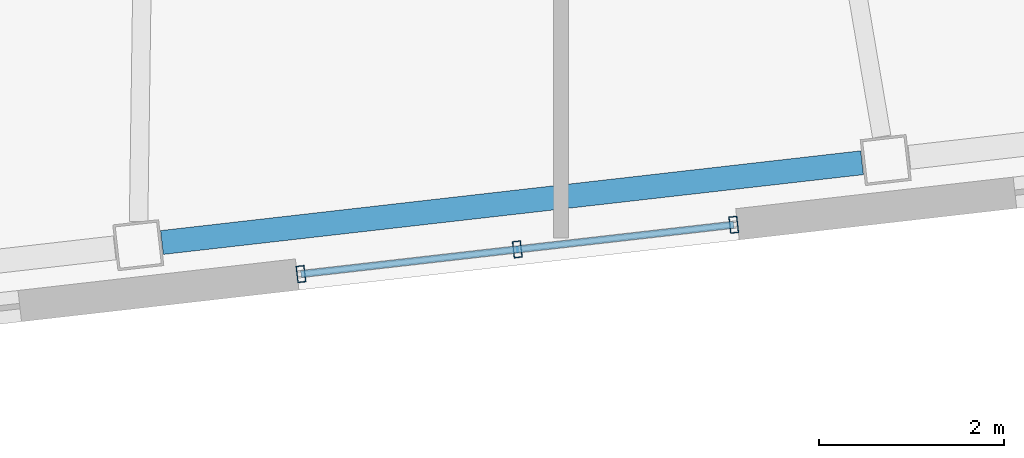
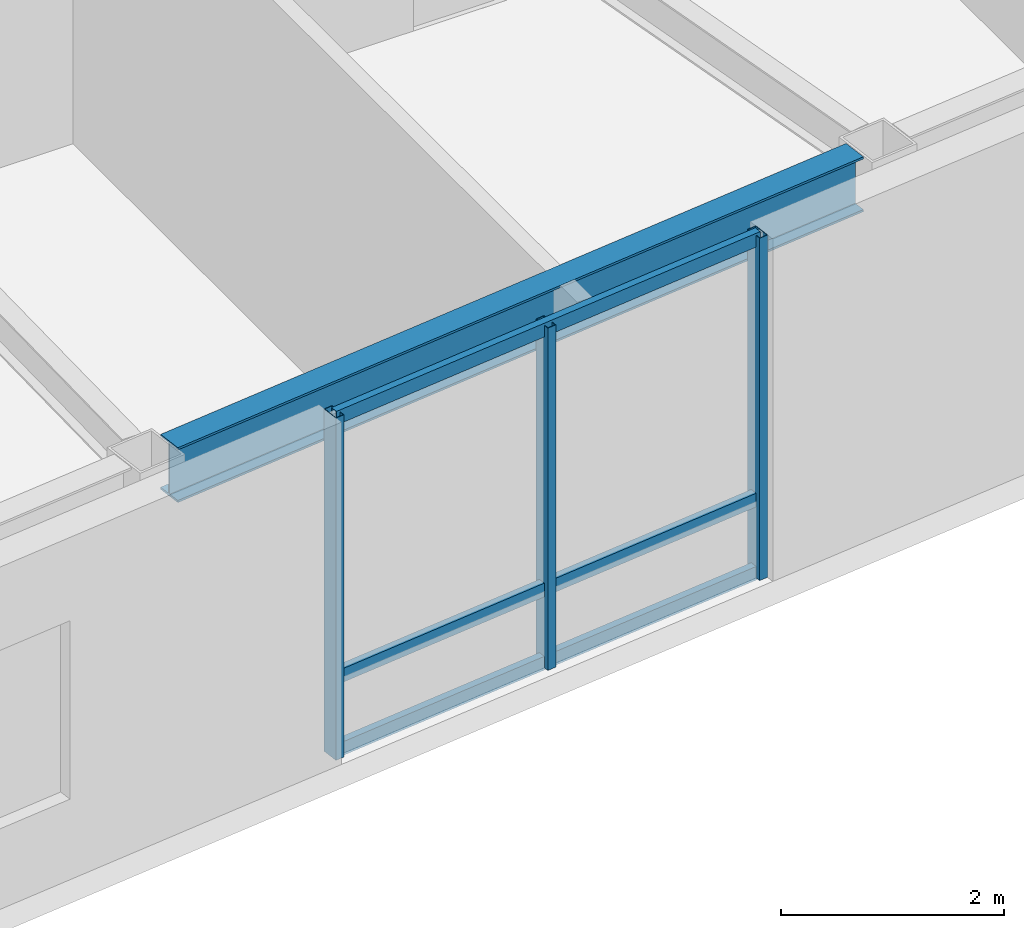
# One storey, part 7 of 19: 6 members, 1 beam, 1 element without a shape of its own.
"""IFC4 building model written with IfcOpenShell, lengths in metres."""

import ifcopenshell
import ifcopenshell.guid

model = None  # the IFC model being written
_history = None  # IfcOwnerHistory: only IFC2X3 demands one
_inside = {}  # id of a spatial element -> (the spatial element, [elements in it])
_under = {}  # id of a project, library or spatial element -> (it, [spatial elements below it])
_declared = {}  # id of a project -> (the project, [libraries it declares])
_typed = {}  # id of a type object -> (the type object, [elements of that type])
_made_of = {}  # id of a material, layer set ... -> (it, [elements and type objects made of it])


def new_model(schema):
    """Start an empty IFC model of exactly this schema.

    Asked for "IFC4X3", IfcOpenShell would pick the latest addendum, in which some entities
    have other attributes; the version numbers below select the first issue.
    IFC2X3 requires an IfcOwnerHistory on every rooted entity: one is made here for all.
    """
    global model, _history
    if schema == "IFC4X3":
        model = ifcopenshell.file(schema_version=(4, 3, 0, 0))
    else:
        model = ifcopenshell.file(schema=schema)
    _inside.clear()
    _under.clear()
    _declared.clear()
    _typed.clear()
    _made_of.clear()
    _history = None
    if model.schema == "IFC2X3":
        org = make("IfcOrganization", Name="unknown")
        user = make(
            "IfcPersonAndOrganization",
            ThePerson=make("IfcPerson", FamilyName="unknown"),
            TheOrganization=org,
        )
        app = make(
            "IfcApplication",
            ApplicationDeveloper=org,
            Version="unknown",
            ApplicationFullName="unknown",
            ApplicationIdentifier="unknown",
        )
        _history = make(
            "IfcOwnerHistory",
            OwningUser=user,
            OwningApplication=app,
            ChangeAction="ADDED",
            CreationDate=0,
        )
    return model


def make(cls, **values):
    """One entity of the class cls with the attributes given. An attribute that is None is left unset."""
    return model.create_entity(
        cls, **{name: value for name, value in values.items() if value is not None}
    )


def rooted(cls, **values):
    """An entity with a GlobalId (a new one), such as an element, a storey or a relation."""
    return make(cls, GlobalId=ifcopenshell.guid.new(), OwnerHistory=_history, **values)


def si_unit(unit_type, name, prefix=None):
    """IfcSIUnit, for example si_unit("LENGTHUNIT", "METRE", prefix="MILLI")."""
    return make("IfcSIUnit", UnitType=unit_type, Prefix=prefix, Name=name)


def assignment(units):
    """IfcUnitAssignment: the units of a project."""
    return None if units is None else make("IfcUnitAssignment", Units=units)


def point(xyz):
    """IfcCartesianPoint."""
    return None if xyz is None else make("IfcCartesianPoint", Coordinates=xyz)


def direction(xyz):
    """IfcDirection."""
    return None if xyz is None else make("IfcDirection", DirectionRatios=xyz)


def frame(location, z_axis=None, x_axis=None):
    """IfcAxis2Placement3D, a coordinate frame: its origin and axes. An axis left out is left unset."""
    return make(
        "IfcAxis2Placement3D",
        Location=point(location),
        Axis=direction(z_axis),
        RefDirection=direction(x_axis),
    )


def frame_2d(location, x_axis=None):
    """IfcAxis2Placement2D, a coordinate frame in the plane: its origin and x axis."""
    return make(
        "IfcAxis2Placement2D", Location=point(location), RefDirection=direction(x_axis)
    )


def origin():
    """The frame at (0, 0, 0) with its axes left unset."""
    return frame((0.0, 0.0, 0.0))


def origin_2d():
    """The frame at (0, 0) in the plane with its x axis left unset."""
    return frame_2d((0.0, 0.0))


def place(relative_to, where):
    """IfcLocalPlacement: puts the frame where relative to a parent placement (None: the world)."""
    return make(
        "IfcLocalPlacement", PlacementRelTo=relative_to, RelativePlacement=where
    )


def context(
    kind, dimensions, precision=None, world=None, true_north=None, identifier=None
):
    """IfcGeometricRepresentationContext, for example the 3D "Model" context."""
    return make(
        "IfcGeometricRepresentationContext",
        ContextIdentifier=identifier,
        ContextType=kind,
        CoordinateSpaceDimension=dimensions,
        Precision=precision,
        WorldCoordinateSystem=world,
        TrueNorth=true_north,
    )


def subcontext(parent, identifier, kind, view, scale=None):
    """IfcGeometricRepresentationSubContext, for example "Body" below "Model"."""
    return make(
        "IfcGeometricRepresentationSubContext",
        ContextIdentifier=identifier,
        ContextType=kind,
        ParentContext=parent,
        TargetScale=scale,
        TargetView=view,
    )


def project(units=None, contexts=None):
    """IfcProject with its units and contexts."""
    return rooted(
        "IfcProject",
        Name="project",
        RepresentationContexts=contexts,
        UnitsInContext=assignment(units),
    )


def spatial(cls, under=None, at=None, **own):
    """A site, building, storey or space (cls), placed at a placement, below another one or the project."""
    s = rooted(cls, ObjectPlacement=at, **own)
    if under is not None:
        _under.setdefault(under.id(), (under, []))[1].append(s)
    return s


def profile(cls, at=None, kind="AREA", **sizes):
    """A parametric profile (cls). Its sizes go by their IFC names, for example OverallWidth=200.0."""
    return make(cls, ProfileType=kind, Position=at, **sizes)


def hollow_rectangle(**sizes):
    """IfcRectangleHollowProfileDef."""
    return profile("IfcRectangleHollowProfileDef", **sizes)


def i_section(**sizes):
    """IfcIShapeProfileDef."""
    return profile("IfcIShapeProfileDef", **sizes)


def extrude(swept, where, along, depth):
    """IfcExtrudedAreaSolid: the profile swept, set in the frame where, extruded along a direction by depth."""
    return make(
        "IfcExtrudedAreaSolid",
        SweptArea=swept,
        Position=where,
        ExtrudedDirection=direction(along),
        Depth=depth,
    )


def shape(context_of_items, identifier, shape_type, items):
    """IfcShapeRepresentation: the items that make up one representation, for example the "Body"."""
    return make(
        "IfcShapeRepresentation",
        ContextOfItems=context_of_items,
        RepresentationIdentifier=identifier,
        RepresentationType=shape_type,
        Items=items,
    )


def material(Name=None, Category=None):
    """IfcMaterial."""
    return make("IfcMaterial", Name=Name, Category=Category)


def layer(
    of_material, thickness, ventilated=None, Name=None, Category=None, Priority=None
):
    """IfcMaterialLayer: one layer of a wall or slab, of a material (None: an air gap)."""
    return make(
        "IfcMaterialLayer",
        Material=of_material,
        LayerThickness=thickness,
        IsVentilated=ventilated,
        Name=Name,
        Category=Category,
        Priority=Priority,
    )


def layer_set(layers, Name=None):
    """IfcMaterialLayerSet."""
    return make("IfcMaterialLayerSet", MaterialLayers=layers, LayerSetName=Name)


def material_profile(
    of_material, cross_section, Name=None, Category=None, Priority=None
):
    """IfcMaterialProfile: a cross section and its material."""
    return make(
        "IfcMaterialProfile",
        Name=Name,
        Material=of_material,
        Profile=cross_section,
        Priority=Priority,
        Category=Category,
    )


def profile_set(profiles, Name=None, composite=None):
    """IfcMaterialProfileSet."""
    return make(
        "IfcMaterialProfileSet",
        Name=Name,
        MaterialProfiles=profiles,
        CompositeProfile=composite,
    )


def made_of(thing, what):
    """Note that an element or type object is made of a material, layer set ...; save() writes the relation."""
    if what is not None:
        _made_of.setdefault(what.id(), (what, []))[1].append(thing)
    return thing


def type_object(cls, material=None, **own):
    """A type object (cls), such as IfcWallType, which elements share."""
    return made_of(rooted(cls, **own), material)


def element(
    cls,
    number,
    at=None,
    inside=None,
    cuts=None,
    type_object=None,
    material=None,
    context=None,
    identifier="Body",
    shape_type=None,
    held_by="IfcProductDefinitionShape",
    body=None,
    shapes=None,
    **own,
):
    """One element of the class cls, such as IfcWall. Its Tag is "e" and its number.

    at: its placement. inside: the storey or other place that contains it. cuts: it is an
    opening in that element (IfcRelVoidsElement). A single representation is given by context,
    identifier, shape_type and body (its items); several are given by shapes. held_by: the class
    of the entity that holds the representations. save() writes the other relations.
    """
    e = rooted(cls, Tag="e%d" % number, ObjectPlacement=at, **own)
    if body is not None:
        shapes = [shape(context, identifier, shape_type, body)]
    if shapes is not None:
        e.Representation = make(held_by, Representations=shapes)
    if inside is not None:
        _inside.setdefault(inside.id(), (inside, []))[1].append(e)
    if cuts is not None:
        rooted(
            "IfcRelVoidsElement", RelatingBuildingElement=cuts, RelatedOpeningElement=e
        )
    if type_object is not None:
        _typed.setdefault(type_object.id(), (type_object, []))[1].append(e)
    return made_of(e, material)


def aggregate(whole, parts):
    """IfcRelAggregates: a whole, such as a stair, and the parts it consists of."""
    return rooted("IfcRelAggregates", RelatingObject=whole, RelatedObjects=parts)


def save(model, path):
    """Write the relations noted so far, then the file.

    IfcRelAggregates (storeys below a building ...), IfcRelContainedInSpatialStructure (elements
    in a storey), IfcRelDefinesByType, IfcRelAssociatesMaterial and IfcRelDeclares: one each for
    every whole, place, type object, material and project.
    """
    for whole, parts in _under.values():
        aggregate(whole, parts)
    for where, things in _inside.values():
        rooted(
            "IfcRelContainedInSpatialStructure",
            RelatedElements=things,
            RelatingStructure=where,
        )
    for kind, things in _typed.values():
        rooted("IfcRelDefinesByType", RelatedObjects=things, RelatingType=kind)
    for what, things in _made_of.values():
        rooted("IfcRelAssociatesMaterial", RelatedObjects=things, RelatingMaterial=what)
    for by, libraries in _declared.values():
        rooted("IfcRelDeclares", RelatingContext=by, RelatedDefinitions=libraries)
    model.write(path)


model = new_model("IFC4")

# Units and contexts
model_context = context("Model", 3, precision=1e-05, world=origin(), true_north=direction((0.0, 1.0)))
body_context = subcontext(model_context, "Body", "Model", "MODEL_VIEW")
ifc_project = project(units=[si_unit("LENGTHUNIT", "METRE"), si_unit("AREAUNIT", "SQUARE_METRE"), si_unit("VOLUMEUNIT", "CUBIC_METRE"), si_unit("PLANEANGLEUNIT", "RADIAN"), si_unit("MASSUNIT", "GRAM", prefix="KILO")], contexts=[model_context])

# Site, building, storey
site_placement = place(None, origin())
site = spatial("IfcSite", under=ifc_project, at=site_placement, CompositionType="ELEMENT")
building_placement = place(site_placement, origin())
building = spatial("IfcBuilding", under=site, at=building_placement, Name="Tavrogorsk Clinical Tower", CompositionType="ELEMENT")
storey_placement = place(building_placement, frame((0.0, 0.0, 218.199951171875)))
storey = spatial("IfcBuildingStorey", under=building, at=storey_placement, Name="L50", CompositionType="ELEMENT", Elevation=218.199951171875)

# Curtain wall, members
ifc_material_1 = material(Name="Anodised aluminium and triple IGU glazing", Category="aluminium")
ifc_layer = layer(ifc_material_1, 0.179931640625)
ifc_layer_set = layer_set([ifc_layer], Name="Anodised aluminium and triple IGU glazing")
curtain_wall_type = type_object("IfcCurtainWallType", Name="CW3_SouthSlot", PredefinedType="NOTDEFINED", material=ifc_layer_set)
curtain_wall_placement = place(storey_placement, origin())
curtain_wall = element("IfcCurtainWall", 1, at=curtain_wall_placement, inside=storey, type_object=curtain_wall_type, Name="L50 Curtain Wall CW-L50-S-SLOT-2", PredefinedType="NOTDEFINED")
ifc_material_2 = material(Name="Anodised aluminium alloy AW-6060", Category="aluminium")
ifc_material_profile_1 = material_profile(ifc_material_2, hollow_rectangle(XDim=0.090087890625, YDim=0.179931640625, WallThickness=0.00634765625, at=origin_2d()), Name="RHS-180x90x6.3")
ifc_profile_set_1 = profile_set([ifc_material_profile_1], Name="Anodised aluminium alloy AW-6060")
member_type_1 = type_object("IfcMemberType", Name="CwMullion_180x90", PredefinedType="MULLION", material=ifc_profile_set_1)
member_1_placement = place(storey_placement, frame((5.982177734375, -19.42529296875, 0.0), z_axis=(0.0, 0.0, 1.0), x_axis=(0.993571855603, 0.11320321441, 0.0)))
member_1 = element("IfcMember", 2, at=member_1_placement, type_object=member_type_1, Name="CW-L50-S-SLOT-2 Mullion 1", PredefinedType="MULLION", context=body_context, shape_type="SweptSolid", body=[
    extrude(hollow_rectangle(XDim=0.090087890625, YDim=0.179931640625, WallThickness=0.00634765625, at=origin_2d()), origin(), (0.0, 0.0, 1.0), 3.739990234375),
])
member_2_placement = place(storey_placement, frame((8.325927734375, -19.158203125, 0.0), z_axis=(0.0, 0.0, 1.0), x_axis=(0.993571855603, 0.11320321441, 0.0)))
member_2 = element("IfcMember", 3, at=member_2_placement, type_object=member_type_1, Name="CW-L50-S-SLOT-2 Mullion 2", PredefinedType="MULLION", context=body_context, shape_type="SweptSolid", body=[
    extrude(hollow_rectangle(XDim=0.090087890625, YDim=0.179931640625, WallThickness=0.00634765625, at=origin_2d()), origin(), (0.0, 0.0, 1.0), 3.739990234375),
])
member_3_placement = place(storey_placement, frame((10.669677734375, -18.89111328125, 0.0), z_axis=(0.0, 0.0, 1.0), x_axis=(0.993571855603, 0.11320321441, 0.0)))
member_3 = element("IfcMember", 4, at=member_3_placement, type_object=member_type_1, Name="CW-L50-S-SLOT-2 Mullion 3", PredefinedType="MULLION", context=body_context, shape_type="SweptSolid", body=[
    extrude(hollow_rectangle(XDim=0.090087890625, YDim=0.179931640625, WallThickness=0.00634765625, at=origin_2d()), origin(), (0.0, 0.0, 1.0), 3.739990234375),
])
ifc_material_3 = material(Name="Anodised aluminium alloy AW-6060", Category="aluminium")
ifc_material_profile_2 = material_profile(ifc_material_3, hollow_rectangle(XDim=0.074951171875, YDim=0.14990234375, WallThickness=0.0048828125, at=origin_2d()), Name="RHS-150x75x5")
ifc_profile_set_2 = profile_set([ifc_material_profile_2], Name="Anodised aluminium alloy AW-6060")
member_type_2 = type_object("IfcMemberType", Name="CwTransom_150x75", PredefinedType="USERDEFINED", material=ifc_profile_set_2)
member_4_placement = place(storey_placement, frame((5.982177734375, -19.42529296875, 0.050048828125), z_axis=(0.993569315854, 0.113225503286, 0.0), x_axis=(-0.113225503286, 0.993569315854, 0.0)))
member_4 = element("IfcMember", 5, at=member_4_placement, type_object=member_type_2, Name="CW-L50-S-SLOT-2 Transom 1", ObjectType="TRANSOM", PredefinedType="USERDEFINED", context=body_context, shape_type="SweptSolid", body=[
    extrude(hollow_rectangle(XDim=0.074951171875, YDim=0.14990234375, WallThickness=0.0048828125, at=origin_2d()), origin(), (0.0, 0.0, 1.0), 4.7177734375),
])
member_5_placement = place(storey_placement, frame((5.982177734375, -19.42529296875, 0.85009765625), z_axis=(0.993569315854, 0.113225503286, 0.0), x_axis=(-0.113225503286, 0.993569315854, 0.0)))
member_5 = element("IfcMember", 6, at=member_5_placement, type_object=member_type_2, Name="CW-L50-S-SLOT-2 Transom 2", ObjectType="TRANSOM", PredefinedType="USERDEFINED", context=body_context, shape_type="SweptSolid", body=[
    extrude(hollow_rectangle(XDim=0.074951171875, YDim=0.14990234375, WallThickness=0.0048828125, at=origin_2d()), origin(), (0.0, 0.0, 1.0), 4.7177734375),
])
member_6_placement = place(storey_placement, frame((5.982177734375, -19.42529296875, 3.68994140625), z_axis=(0.993569315854, 0.113225503286, 0.0), x_axis=(-0.113225503286, 0.993569315854, 0.0)))
member_6 = element("IfcMember", 7, at=member_6_placement, type_object=member_type_2, Name="CW-L50-S-SLOT-2 Transom 3", ObjectType="TRANSOM", PredefinedType="USERDEFINED", context=body_context, shape_type="SweptSolid", body=[
    extrude(hollow_rectangle(XDim=0.074951171875, YDim=0.14990234375, WallThickness=0.0048828125, at=origin_2d()), origin(), (0.0, 0.0, 1.0), 4.7177734375),
])
aggregate(curtain_wall, [member_1, member_2, member_3, member_4, member_5, member_6])

# Beam
ifc_material_4 = material(Name="Structural steel S390", Category="steel")
ifc_material_profile_3 = material_profile(ifc_material_4, i_section(OverallWidth=0.260009765625, OverallDepth=0.60009765625, WebThickness=0.014892578125, FlangeThickness=0.02392578125, at=origin_2d()), Name="B-600x260x15x24")
ifc_profile_set_3 = profile_set([ifc_material_profile_3], Name="Structural steel S390")
beam_type = type_object("IfcBeamType", Name="SpandrelBeam_B600", PredefinedType="SPANDREL", material=ifc_profile_set_3)
beam_placement = place(storey_placement, frame((4.476318359375, -19.08349609375, 3.43994140625), z_axis=(0.993572509708, 0.113197473259, 0.0), x_axis=(-0.113197473259, 0.993572509708, 0.0)))
element("IfcBeam", 8, at=beam_placement, inside=storey, type_object=beam_type, Name="L50 Perimeter Spandrel S5-S6", PredefinedType="SPANDREL", context=body_context, shape_type="SweptSolid", body=[
    extrude(i_section(OverallWidth=0.260009765625, OverallDepth=0.60009765625, WebThickness=0.014892578125, FlangeThickness=0.02392578125, at=origin_2d()), origin(), (0.0, 0.0, 1.0), 7.6328125),
])

save(model, "model.ifc")
